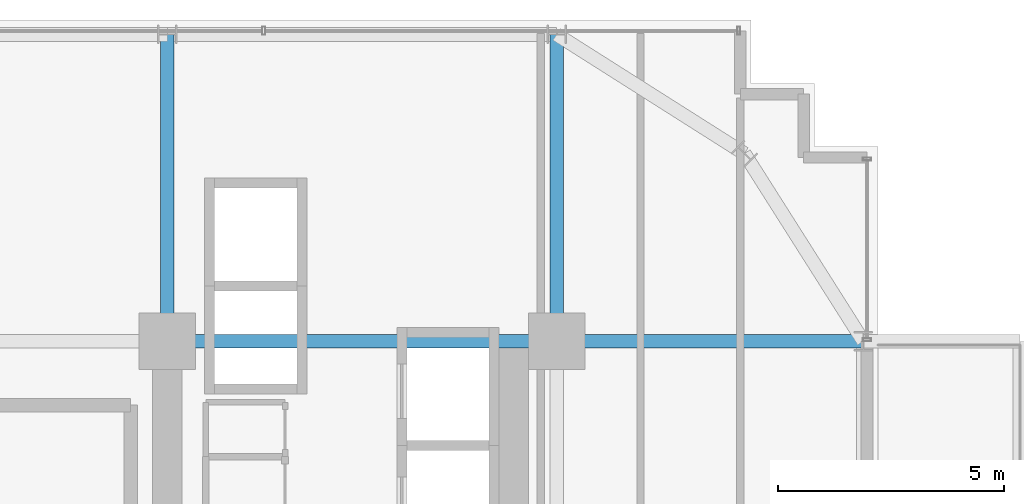
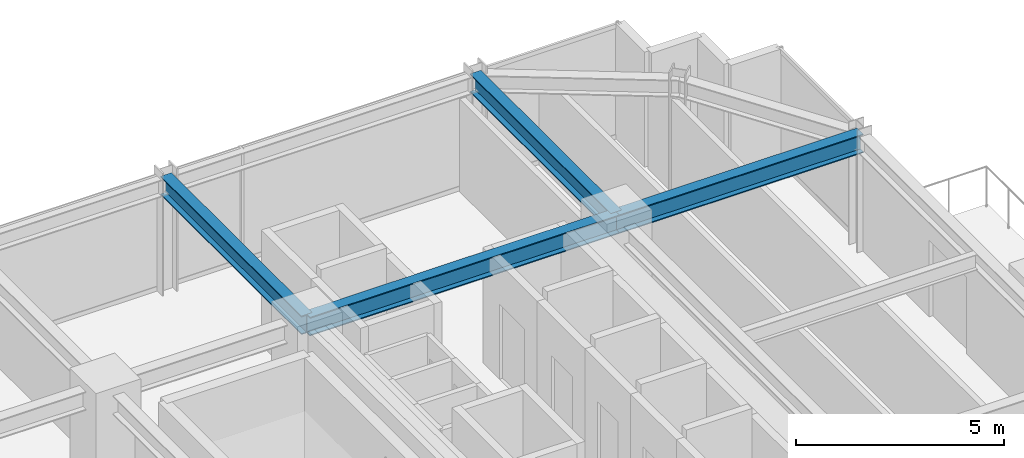
# One storey, part 23 of 33: 4 beams.
"""IFC4 building model written with IfcOpenShell, lengths in metres."""

from ifc_helpers import new_model, si_unit, direction, frame, origin, origin_2d, place, context, subcontext, project, spatial, i_section, extrude, source, transform, mapped, material, material_profile, profile_set, type_object, element, save


model = new_model("IFC4")

# Units and contexts
model_context = context("Model", 3, precision=1e-05, world=origin(), true_north=direction((0.0, 1.0)))
body_context = subcontext(model_context, "Body", "Model", "MODEL_VIEW")
ifc_project = project(units=[si_unit("LENGTHUNIT", "METRE"), si_unit("AREAUNIT", "SQUARE_METRE"), si_unit("VOLUMEUNIT", "CUBIC_METRE"), si_unit("PLANEANGLEUNIT", "RADIAN"), si_unit("MASSUNIT", "GRAM", prefix="KILO")], contexts=[model_context])

# Site, building, storey
site_placement = place(None, origin())
site = spatial("IfcSite", under=ifc_project, at=site_placement, CompositionType="ELEMENT")
building_placement = place(site_placement, origin())
building = spatial("IfcBuilding", under=site, at=building_placement, Name="Nahalor Promenade Grand Hotel", CompositionType="ELEMENT")
storey_placement = place(building_placement, frame((0.0, 0.0, 132.10009765625)))
storey = spatial("IfcBuildingStorey", under=building, at=storey_placement, Name="L33", CompositionType="ELEMENT", Elevation=132.10009765625)

# Beams
ifc_material = material(Name="Steel S355JR", Category="steel")
ifc_material_profile = material_profile(ifc_material, i_section(OverallWidth=0.3, OverallDepth=0.55, WebThickness=0.015, FlangeThickness=0.029, at=origin_2d()), Name="HEB 550")
ifc_profile_set = profile_set([ifc_material_profile], Name="Steel S355JR")
beam_type = type_object("IfcBeamType", Name="Beam-Girder-HEB550", PredefinedType="BEAM", material=ifc_profile_set)
shared_shape_1 = source(origin(), body_context, "Body", "SweptSolid", [
    extrude(i_section(OverallWidth=0.3, OverallDepth=0.55, WebThickness=0.015, FlangeThickness=0.029, at=origin_2d()), origin(), (0.0, 0.0, 1.0), 6.780029296875),
])
for number, where, z_axis, x_axis, name in (
    (1, (17.0, 17.0, 3.10498046875), (1.0, 0.0, 0.0), (0.0, 1.0, 0.0), "BM-L33-GX-3-6"),
    (2, (8.39990234375, 17.0, 3.10498046875), (0.0, 1.0, 0.0), (-1.0, 0.0, 0.0), "BM-L33-GY-4-4"),
    (3, (17.0, 17.0, 3.10498046875), (0.0, 1.0, 0.0), (-1.0, 0.0, 0.0), "BM-L33-GY-5-4"),
):
    element("IfcBeam", number, at=place(storey_placement, frame(where, z_axis=z_axis, x_axis=x_axis)), inside=storey, type_object=beam_type, Name=name, PredefinedType="BEAM", context=body_context, shape_type="MappedRepresentation", body=[
        mapped(shared_shape_1, transform((0.0, 0.0, 0.0), scale=1.0)),
    ])
shared_shape_2 = source(origin(), body_context, "Body", "SweptSolid", [
    extrude(i_section(OverallWidth=0.3, OverallDepth=0.55, WebThickness=0.015, FlangeThickness=0.029, at=origin_2d()), origin(), (0.0, 0.0, 1.0), 8.60009765625),
])
beam_placement = place(storey_placement, frame((8.39990234375, 17.0, 3.10498046875), z_axis=(1.0, 0.0, 0.0), x_axis=(0.0, 1.0, 0.0)))
element("IfcBeam", 4, at=beam_placement, inside=storey, type_object=beam_type, Name="BM-L33-GX-3-5", PredefinedType="BEAM", context=body_context, shape_type="MappedRepresentation", body=[
    mapped(shared_shape_2, transform((0.0, 0.0, 0.0), scale=1.0)),
])

save(model, "model.ifc")
